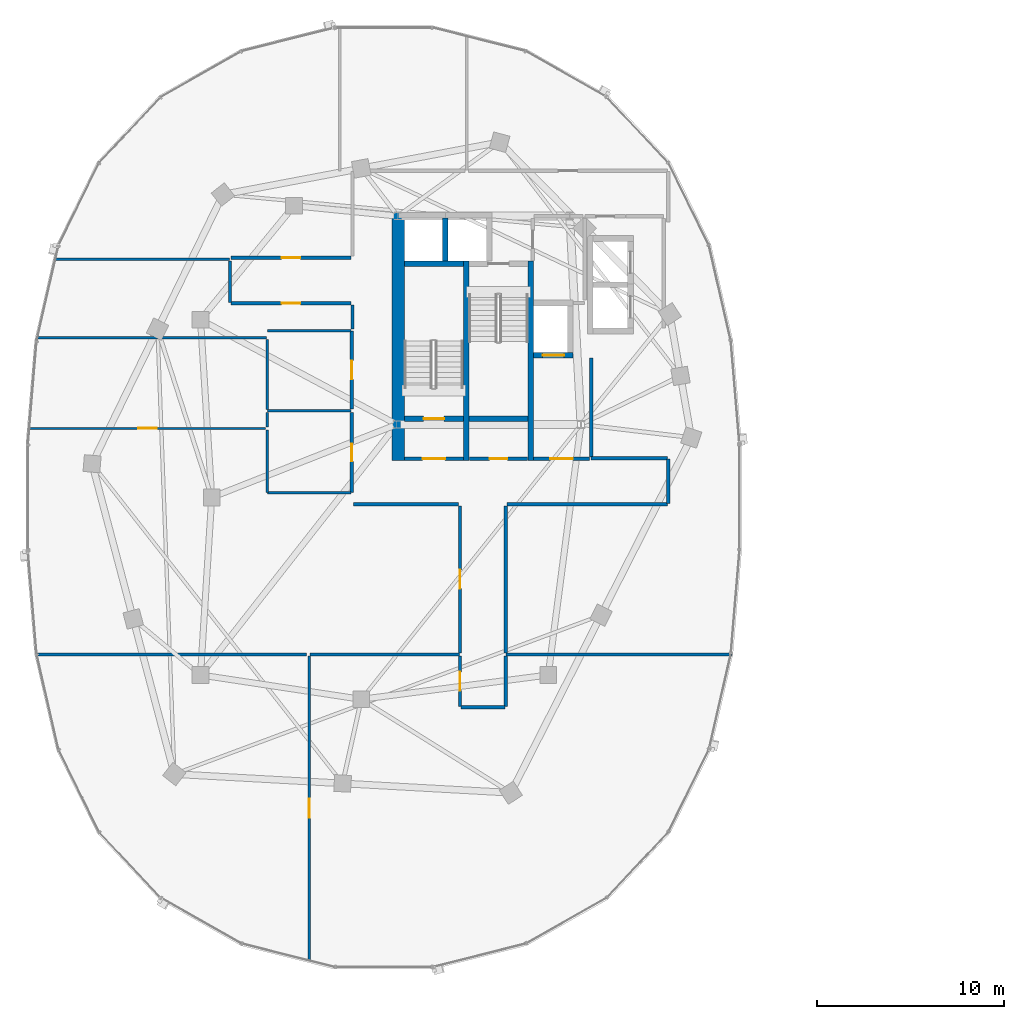
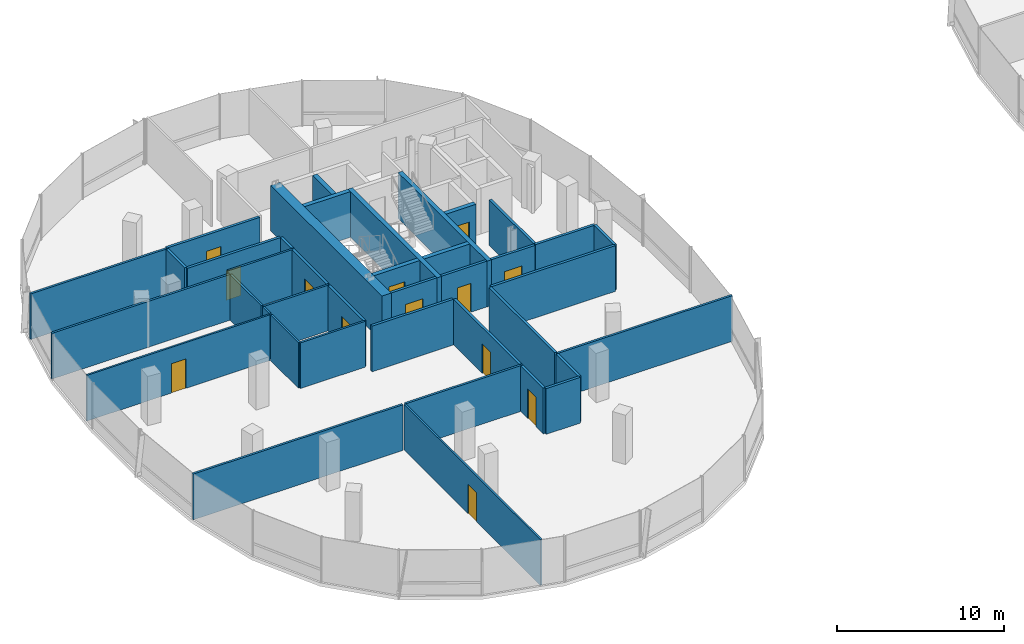
# One storey, part 15 of 25: 40 walls, 13 doors, 13 openings.
"""IFC4 building model written with IfcOpenShell, lengths in metres."""

import ifcopenshell
import ifcopenshell.guid

model = None  # the IFC model being written
_history = None  # IfcOwnerHistory: only IFC2X3 demands one
_inside = {}  # id of a spatial element -> (the spatial element, [elements in it])
_under = {}  # id of a project, library or spatial element -> (it, [spatial elements below it])
_declared = {}  # id of a project -> (the project, [libraries it declares])
_typed = {}  # id of a type object -> (the type object, [elements of that type])
_made_of = {}  # id of a material, layer set ... -> (it, [elements and type objects made of it])


def new_model(schema):
    """Start an empty IFC model of exactly this schema.

    Asked for "IFC4X3", IfcOpenShell would pick the latest addendum, in which some entities
    have other attributes; the version numbers below select the first issue.
    IFC2X3 requires an IfcOwnerHistory on every rooted entity: one is made here for all.
    """
    global model, _history
    if schema == "IFC4X3":
        model = ifcopenshell.file(schema_version=(4, 3, 0, 0))
    else:
        model = ifcopenshell.file(schema=schema)
    _inside.clear()
    _under.clear()
    _declared.clear()
    _typed.clear()
    _made_of.clear()
    _history = None
    if model.schema == "IFC2X3":
        org = make("IfcOrganization", Name="unknown")
        user = make(
            "IfcPersonAndOrganization",
            ThePerson=make("IfcPerson", FamilyName="unknown"),
            TheOrganization=org,
        )
        app = make(
            "IfcApplication",
            ApplicationDeveloper=org,
            Version="unknown",
            ApplicationFullName="unknown",
            ApplicationIdentifier="unknown",
        )
        _history = make(
            "IfcOwnerHistory",
            OwningUser=user,
            OwningApplication=app,
            ChangeAction="ADDED",
            CreationDate=0,
        )
    return model


def make(cls, **values):
    """One entity of the class cls with the attributes given. An attribute that is None is left unset."""
    return model.create_entity(
        cls, **{name: value for name, value in values.items() if value is not None}
    )


def rooted(cls, **values):
    """An entity with a GlobalId (a new one), such as an element, a storey or a relation."""
    return make(cls, GlobalId=ifcopenshell.guid.new(), OwnerHistory=_history, **values)


def si_unit(unit_type, name, prefix=None):
    """IfcSIUnit, for example si_unit("LENGTHUNIT", "METRE", prefix="MILLI")."""
    return make("IfcSIUnit", UnitType=unit_type, Prefix=prefix, Name=name)


def assignment(units):
    """IfcUnitAssignment: the units of a project."""
    return None if units is None else make("IfcUnitAssignment", Units=units)


def point(xyz):
    """IfcCartesianPoint."""
    return None if xyz is None else make("IfcCartesianPoint", Coordinates=xyz)


def direction(xyz):
    """IfcDirection."""
    return None if xyz is None else make("IfcDirection", DirectionRatios=xyz)


def frame(location, z_axis=None, x_axis=None):
    """IfcAxis2Placement3D, a coordinate frame: its origin and axes. An axis left out is left unset."""
    return make(
        "IfcAxis2Placement3D",
        Location=point(location),
        Axis=direction(z_axis),
        RefDirection=direction(x_axis),
    )


def frame_2d(location, x_axis=None):
    """IfcAxis2Placement2D, a coordinate frame in the plane: its origin and x axis."""
    return make(
        "IfcAxis2Placement2D", Location=point(location), RefDirection=direction(x_axis)
    )


def origin():
    """The frame at (0, 0, 0) with its axes left unset."""
    return frame((0.0, 0.0, 0.0))


def place(relative_to, where):
    """IfcLocalPlacement: puts the frame where relative to a parent placement (None: the world)."""
    return make(
        "IfcLocalPlacement", PlacementRelTo=relative_to, RelativePlacement=where
    )


def context(
    kind, dimensions, precision=None, world=None, true_north=None, identifier=None
):
    """IfcGeometricRepresentationContext, for example the 3D "Model" context."""
    return make(
        "IfcGeometricRepresentationContext",
        ContextIdentifier=identifier,
        ContextType=kind,
        CoordinateSpaceDimension=dimensions,
        Precision=precision,
        WorldCoordinateSystem=world,
        TrueNorth=true_north,
    )


def subcontext(parent, identifier, kind, view, scale=None):
    """IfcGeometricRepresentationSubContext, for example "Body" below "Model"."""
    return make(
        "IfcGeometricRepresentationSubContext",
        ContextIdentifier=identifier,
        ContextType=kind,
        ParentContext=parent,
        TargetScale=scale,
        TargetView=view,
    )


def project(units=None, contexts=None):
    """IfcProject with its units and contexts."""
    return rooted(
        "IfcProject",
        Name="project",
        RepresentationContexts=contexts,
        UnitsInContext=assignment(units),
    )


def spatial(cls, under=None, at=None, **own):
    """A site, building, storey or space (cls), placed at a placement, below another one or the project."""
    s = rooted(cls, ObjectPlacement=at, **own)
    if under is not None:
        _under.setdefault(under.id(), (under, []))[1].append(s)
    return s


def profile(cls, at=None, kind="AREA", **sizes):
    """A parametric profile (cls). Its sizes go by their IFC names, for example OverallWidth=200.0."""
    return make(cls, ProfileType=kind, Position=at, **sizes)


def rectangle(**sizes):
    """IfcRectangleProfileDef."""
    return profile("IfcRectangleProfileDef", **sizes)


def extrude(swept, where, along, depth):
    """IfcExtrudedAreaSolid: the profile swept, set in the frame where, extruded along a direction by depth."""
    return make(
        "IfcExtrudedAreaSolid",
        SweptArea=swept,
        Position=where,
        ExtrudedDirection=direction(along),
        Depth=depth,
    )


def shape(context_of_items, identifier, shape_type, items):
    """IfcShapeRepresentation: the items that make up one representation, for example the "Body"."""
    return make(
        "IfcShapeRepresentation",
        ContextOfItems=context_of_items,
        RepresentationIdentifier=identifier,
        RepresentationType=shape_type,
        Items=items,
    )


def material(Name=None, Category=None):
    """IfcMaterial."""
    return make("IfcMaterial", Name=Name, Category=Category)


def layer(
    of_material, thickness, ventilated=None, Name=None, Category=None, Priority=None
):
    """IfcMaterialLayer: one layer of a wall or slab, of a material (None: an air gap)."""
    return make(
        "IfcMaterialLayer",
        Material=of_material,
        LayerThickness=thickness,
        IsVentilated=ventilated,
        Name=Name,
        Category=Category,
        Priority=Priority,
    )


def layer_set(layers, Name=None):
    """IfcMaterialLayerSet."""
    return make("IfcMaterialLayerSet", MaterialLayers=layers, LayerSetName=Name)


def made_of(thing, what):
    """Note that an element or type object is made of a material, layer set ...; save() writes the relation."""
    if what is not None:
        _made_of.setdefault(what.id(), (what, []))[1].append(thing)
    return thing


def type_object(cls, material=None, **own):
    """A type object (cls), such as IfcWallType, which elements share."""
    return made_of(rooted(cls, **own), material)


def element(
    cls,
    number,
    at=None,
    inside=None,
    cuts=None,
    type_object=None,
    material=None,
    context=None,
    identifier="Body",
    shape_type=None,
    held_by="IfcProductDefinitionShape",
    body=None,
    shapes=None,
    **own,
):
    """One element of the class cls, such as IfcWall. Its Tag is "e" and its number.

    at: its placement. inside: the storey or other place that contains it. cuts: it is an
    opening in that element (IfcRelVoidsElement). A single representation is given by context,
    identifier, shape_type and body (its items); several are given by shapes. held_by: the class
    of the entity that holds the representations. save() writes the other relations.
    """
    e = rooted(cls, Tag="e%d" % number, ObjectPlacement=at, **own)
    if body is not None:
        shapes = [shape(context, identifier, shape_type, body)]
    if shapes is not None:
        e.Representation = make(held_by, Representations=shapes)
    if inside is not None:
        _inside.setdefault(inside.id(), (inside, []))[1].append(e)
    if cuts is not None:
        rooted(
            "IfcRelVoidsElement", RelatingBuildingElement=cuts, RelatedOpeningElement=e
        )
    if type_object is not None:
        _typed.setdefault(type_object.id(), (type_object, []))[1].append(e)
    return made_of(e, material)


def fill(opening, filler):
    """IfcRelFillsElement: the door or window that sits in an opening."""
    return rooted(
        "IfcRelFillsElement",
        RelatingOpeningElement=opening,
        RelatedBuildingElement=filler,
    )


def aggregate(whole, parts):
    """IfcRelAggregates: a whole, such as a stair, and the parts it consists of."""
    return rooted("IfcRelAggregates", RelatingObject=whole, RelatedObjects=parts)


def save(model, path):
    """Write the relations noted so far, then the file.

    IfcRelAggregates (storeys below a building ...), IfcRelContainedInSpatialStructure (elements
    in a storey), IfcRelDefinesByType, IfcRelAssociatesMaterial and IfcRelDeclares: one each for
    every whole, place, type object, material and project.
    """
    for whole, parts in _under.values():
        aggregate(whole, parts)
    for where, things in _inside.values():
        rooted(
            "IfcRelContainedInSpatialStructure",
            RelatedElements=things,
            RelatingStructure=where,
        )
    for kind, things in _typed.values():
        rooted("IfcRelDefinesByType", RelatedObjects=things, RelatingType=kind)
    for what, things in _made_of.values():
        rooted("IfcRelAssociatesMaterial", RelatedObjects=things, RelatingMaterial=what)
    for by, libraries in _declared.values():
        rooted("IfcRelDeclares", RelatingContext=by, RelatedDefinitions=libraries)
    model.write(path)


model = new_model("IFC4")

# Units and contexts
model_context = context("Model", 3, precision=1e-05, world=origin(), true_north=direction((0.0, 1.0)))
body_context = subcontext(model_context, "Body", "Model", "MODEL_VIEW")
ifc_project = project(units=[si_unit("LENGTHUNIT", "METRE"), si_unit("AREAUNIT", "SQUARE_METRE"), si_unit("VOLUMEUNIT", "CUBIC_METRE"), si_unit("PLANEANGLEUNIT", "RADIAN"), si_unit("MASSUNIT", "GRAM", prefix="KILO"), si_unit("THERMODYNAMICTEMPERATUREUNIT", "KELVIN"), si_unit("POWERUNIT", "WATT")], contexts=[model_context])

# Site, building, storey
site_placement = place(None, origin())
site = spatial("IfcSite", under=ifc_project, at=site_placement, CompositionType="ELEMENT")
building_placement = place(site_placement, origin())
building = spatial("IfcBuilding", under=site, at=building_placement, Name="Cundina Bronze Exchange", CompositionType="ELEMENT")
storey_placement = place(building_placement, frame((0.0, 0.0, 202.60009765625)))
storey = spatial("IfcBuildingStorey", under=building, at=storey_placement, Name="L53", CompositionType="ELEMENT", Elevation=202.60009765625)

# Wall
ifc_material_1 = material(Name="Gypsum Fireboard Partition EI120")
ifc_layer_1 = layer(ifc_material_1, 0.179931640625, Name="Gypsum Fireboard Partition EI120")
ifc_layer_set_1 = layer_set([ifc_layer_1], Name="Gypsum Fireboard Partition EI120")
wall_type_1 = type_object("IfcWallType", Name="WL-COR-180", PredefinedType="PARTITIONING", material=ifc_layer_set_1)
wall_1_placement = place(storey_placement, frame((-20.889892578125, 2.14990234375, 0.0), z_axis=(0.0, 0.0, 1.0), x_axis=(0.0, 1.0, 0.0)))
element("IfcWall", 1, at=wall_1_placement, inside=storey, type_object=wall_type_1, Name="L53 W Firefighting Lobby Side Wall", PredefinedType="PARTITIONING", context=body_context, shape_type="SweptSolid", body=[
    extrude(rectangle(XDim=5.300048828125, YDim=0.179931640625, at=frame_2d((2.64990234375, 0.0))), origin(), (0.0, 0.0, 1.0), 3.33984375),
])

# Wall, opening, door
wall_2_placement = place(storey_placement, frame((-23.97998046875, 2.06005859375, 0.0), z_axis=(0.0, 0.0, 1.0), x_axis=(1.0, 0.0, 0.0)))
wall_2 = element("IfcWall", 2, at=wall_2_placement, inside=storey, type_object=wall_type_1, Name="L53 W Firefighting Lobby Exit Wall", PredefinedType="PARTITIONING", context=body_context, shape_type="SweptSolid", body=[
    extrude(rectangle(XDim=3.0, YDim=0.179931640625, at=frame_2d((1.5, 0.0))), origin(), (0.0, 0.0, 1.0), 3.33984375),
])
opening_1_placement = place(wall_2_placement, frame((0.89990234375, 0.0, 0.0)))
opening_1 = element("IfcOpeningElement", 3, at=opening_1_placement, cuts=wall_2, Name="Opening DF-01", PredefinedType="OPENING", context=body_context, shape_type="SweptSolid", body=[
    extrude(rectangle(XDim=1.199951171875, YDim=2.14990234375, at=frame_2d((0.60009765625, 1.074951171875))), frame((0.0, 0.099853515625, 0.0), z_axis=(0.0, -1.0, 0.0), x_axis=(1.0, 0.0, 0.0)), (0.0, 0.0, 1.0), 0.199951171875),
])
ifc_material_2 = material(Name="Steel ASTM A36 Painted", Category="steel")
door_type_1 = type_object("IfcDoorType", Name="DR-FFL-1200", OperationType="NOTDEFINED", PredefinedType="DOOR", material=ifc_material_2)
door_1_placement = place(opening_1_placement, origin())
door_1 = element("IfcDoor", 4, at=door_1_placement, inside=storey, type_object=door_type_1, Name="L53 W Firefighting Lobby Door", OperationType="SINGLE_SWING_RIGHT", OverallHeight=2.14990234375, OverallWidth=1.199951171875, PredefinedType="DOOR", context=body_context, shape_type="SweptSolid", body=[
    extrude(rectangle(XDim=1.199951171875, YDim=2.14990234375, at=frame_2d((0.60009765625, 1.074951171875))), frame((0.0, 0.02490234375, 0.0), z_axis=(0.0, -1.0, 0.0), x_axis=(1.0, 0.0, 0.0)), (0.0, 0.0, 1.0), 0.050048828125),
])
fill(opening_1, door_1)

wall_3_placement = place(storey_placement, frame((-30.89990234375, 2.06005859375, 0.0), z_axis=(0.0, 0.0, 1.0), x_axis=(1.0, 0.0, 0.0)))
wall_3 = element("IfcWall", 5, at=wall_3_placement, inside=storey, type_object=wall_type_1, Name="L53 W Stair Vestibule Exit Wall", PredefinedType="PARTITIONING", context=body_context, shape_type="SweptSolid", body=[
    extrude(rectangle(XDim=3.159912109375, YDim=0.179931640625, at=frame_2d((1.580078125, 0.0))), origin(), (0.0, 0.0, 1.0), 3.33984375),
])
opening_2_placement = place(wall_3_placement, frame((0.97998046875, 0.0, 0.0)))
opening_2 = element("IfcOpeningElement", 6, at=opening_2_placement, cuts=wall_3, Name="Opening DF-01", PredefinedType="OPENING", context=body_context, shape_type="SweptSolid", body=[
    extrude(rectangle(XDim=1.199951171875, YDim=2.14990234375, at=frame_2d((0.60009765625, 1.074951171875))), frame((0.0, 0.099853515625, 0.0), z_axis=(0.0, -1.0, 0.0), x_axis=(1.0, 0.0, 0.0)), (0.0, 0.0, 1.0), 0.199951171875),
])
door_2_placement = place(opening_2_placement, origin())
door_2 = element("IfcDoor", 7, at=door_2_placement, inside=storey, type_object=door_type_1, Name="L53 W Stair Vestibule Door", OperationType="SINGLE_SWING_LEFT", OverallHeight=2.14990234375, OverallWidth=1.199951171875, PredefinedType="DOOR", context=body_context, shape_type="SweptSolid", body=[
    extrude(rectangle(XDim=1.199951171875, YDim=2.14990234375, at=frame_2d((0.60009765625, 1.074951171875))), frame((0.0, 0.02490234375, 0.0), z_axis=(0.0, -1.0, 0.0), x_axis=(1.0, 0.0, 0.0)), (0.0, 0.0, 1.0), 0.050048828125),
])
fill(opening_2, door_2)

wall_4_placement = place(storey_placement, frame((-27.419921875, 2.070068359375, 0.0), z_axis=(0.0, 0.0, 1.0), x_axis=(1.0, 0.0, 0.0)))
wall_4 = element("IfcWall", 8, at=wall_4_placement, inside=storey, type_object=wall_type_1, Name="L53 Interior Partition 007", PredefinedType="PARTITIONING", context=body_context, shape_type="SweptSolid", body=[
    extrude(rectangle(XDim=3.119873046875, YDim=0.179931640625, at=frame_2d((1.56005859375, 0.0))), origin(), (0.0, 0.0, 1.0), 3.33984375),
])
opening_3_placement = place(wall_4_placement, frame((1.0849609375, 0.0, 0.0)))
opening_3 = element("IfcOpeningElement", 9, at=opening_3_placement, cuts=wall_4, Name="Opening DW-01", PredefinedType="OPENING", context=body_context, shape_type="SweptSolid", body=[
    extrude(rectangle(XDim=0.949951171875, YDim=2.10009765625, at=frame_2d((0.47509765625, 1.050048828125))), frame((0.0, 0.099853515625, 0.0), z_axis=(0.0, -1.0, 0.0), x_axis=(1.0, 0.0, 0.0)), (0.0, 0.0, 1.0), 0.199951171875),
])
ifc_material_3 = material(Name="Solid Andean Oak Timber Grade A", Category="wood")
door_type_2 = type_object("IfcDoorType", Name="DR-WC-950", OperationType="NOTDEFINED", PredefinedType="DOOR", material=ifc_material_3)
door_3_placement = place(opening_3_placement, origin())
door_3 = element("IfcDoor", 10, at=door_3_placement, inside=storey, type_object=door_type_2, Name="L53 Interior Door 007", OperationType="SINGLE_SWING_LEFT", OverallHeight=2.10009765625, OverallWidth=0.949951171875, PredefinedType="DOOR", context=body_context, shape_type="SweptSolid", body=[
    extrude(rectangle(XDim=0.949951171875, YDim=2.10009765625, at=frame_2d((0.47509765625, 1.050048828125))), frame((0.0, 0.02490234375, 0.0), z_axis=(0.0, -1.0, 0.0), x_axis=(1.0, 0.0, 0.0)), (0.0, 0.0, 1.0), 0.050048828125),
])
fill(opening_3, door_3)

wall_5_placement = place(storey_placement, frame((-33.719970703125, 0.27001953125, 0.0), z_axis=(0.0, 0.0, 1.0), x_axis=(0.0, 1.0, 0.0)))
wall_5 = element("IfcWall", 11, at=wall_5_placement, inside=storey, type_object=wall_type_1, Name="L53 Interior Partition 015", PredefinedType="PARTITIONING", context=body_context, shape_type="SweptSolid", body=[
    extrude(rectangle(XDim=4.260009765625, YDim=0.179931640625, at=frame_2d((2.1298828125, 0.0))), origin(), (0.0, 0.0, 1.0), 3.33984375),
])
opening_4_placement = place(wall_5_placement, frame((1.655029296875, 0.0, 0.0)))
opening_4 = element("IfcOpeningElement", 12, at=opening_4_placement, cuts=wall_5, Name="Opening DW-01", PredefinedType="OPENING", context=body_context, shape_type="SweptSolid", body=[
    extrude(rectangle(XDim=0.949951171875, YDim=2.10009765625, at=frame_2d((0.47509765625, 1.050048828125))), frame((0.0, 0.099853515625, 0.0), z_axis=(0.0, -1.0, 0.0), x_axis=(1.0, 0.0, 0.0)), (0.0, 0.0, 1.0), 0.199951171875),
])
door_4_placement = place(opening_4_placement, origin())
door_4 = element("IfcDoor", 13, at=door_4_placement, inside=storey, type_object=door_type_2, Name="L53 Interior Door 015", OperationType="SINGLE_SWING_LEFT", OverallHeight=2.10009765625, OverallWidth=0.949951171875, PredefinedType="DOOR", context=body_context, shape_type="SweptSolid", body=[
    extrude(rectangle(XDim=0.949951171875, YDim=2.10009765625, at=frame_2d((0.47509765625, 1.050048828125))), frame((0.0, 0.02490234375, 0.0), z_axis=(0.0, -1.0, 0.0), x_axis=(1.0, 0.0, 0.0)), (0.0, 0.0, 1.0), 0.050048828125),
])
fill(opening_4, door_4)

wall_6_placement = place(storey_placement, frame((-33.719970703125, 4.72998046875, 0.0), z_axis=(0.0, 0.0, 1.0), x_axis=(0.0, 1.0, 0.0)))
wall_6 = element("IfcWall", 14, at=wall_6_placement, inside=storey, type_object=wall_type_1, Name="L53 Interior Partition 016", PredefinedType="PARTITIONING", context=body_context, shape_type="SweptSolid", body=[
    extrude(rectangle(XDim=4.159912109375, YDim=0.179931640625, at=frame_2d((2.080078125, 0.0))), origin(), (0.0, 0.0, 1.0), 3.33984375),
])
opening_5_placement = place(wall_6_placement, frame((1.580078125, 0.0, 0.0)))
opening_5 = element("IfcOpeningElement", 15, at=opening_5_placement, cuts=wall_6, Name="Opening DO-01", PredefinedType="OPENING", context=body_context, shape_type="SweptSolid", body=[
    extrude(rectangle(XDim=1.0, YDim=2.14990234375, at=frame_2d((0.5, 1.074951171875))), frame((0.0, 0.099853515625, 0.0), z_axis=(0.0, -1.0, 0.0), x_axis=(1.0, 0.0, 0.0)), (0.0, 0.0, 1.0), 0.199951171875),
])
door_type_3 = type_object("IfcDoorType", Name="DR-OFF-1000", OperationType="NOTDEFINED", PredefinedType="DOOR", material=ifc_material_3)
door_5_placement = place(opening_5_placement, origin())
door_5 = element("IfcDoor", 16, at=door_5_placement, inside=storey, type_object=door_type_3, Name="L53 Interior Door 016", OperationType="SINGLE_SWING_LEFT", OverallHeight=2.14990234375, OverallWidth=1.0, PredefinedType="DOOR", context=body_context, shape_type="SweptSolid", body=[
    extrude(rectangle(XDim=1.0, YDim=2.14990234375, at=frame_2d((0.5, 1.074951171875))), frame((0.0, 0.02490234375, 0.0), z_axis=(0.0, -1.0, 0.0), x_axis=(1.0, 0.0, 0.0)), (0.0, 0.0, 1.0), 0.050048828125),
])
fill(opening_5, door_5)

wall_7_placement = place(storey_placement, frame((-27.919921875, -8.489990234375, 0.0), z_axis=(0.0, 0.0, 1.0), x_axis=(0.0, -1.0, 0.0)))
wall_7 = element("IfcWall", 17, at=wall_7_placement, inside=storey, type_object=wall_type_1, Name="L53 Interior Partition 024", PredefinedType="PARTITIONING", context=body_context, shape_type="SweptSolid", body=[
    extrude(rectangle(XDim=2.6884765625, YDim=0.179931640625, at=frame_2d((1.34423828125, 0.0))), origin(), (0.0, 0.0, 1.0), 3.33984375),
])
opening_6_placement = place(wall_7_placement, frame((0.84423828125, 0.0, 0.0)))
opening_6 = element("IfcOpeningElement", 18, at=opening_6_placement, cuts=wall_7, Name="Opening DO-01", PredefinedType="OPENING", context=body_context, shape_type="SweptSolid", body=[
    extrude(rectangle(XDim=1.0, YDim=2.14990234375, at=frame_2d((0.5, 1.074951171875))), frame((0.0, 0.099853515625, 0.0), z_axis=(0.0, -1.0, 0.0), x_axis=(1.0, 0.0, 0.0)), (0.0, 0.0, 1.0), 0.199951171875),
])
door_6_placement = place(opening_6_placement, origin())
door_6 = element("IfcDoor", 19, at=door_6_placement, inside=storey, type_object=door_type_3, Name="L53 Interior Door 024", OperationType="SINGLE_SWING_LEFT", OverallHeight=2.14990234375, OverallWidth=1.0, PredefinedType="DOOR", context=body_context, shape_type="SweptSolid", body=[
    extrude(rectangle(XDim=1.0, YDim=2.14990234375, at=frame_2d((0.5, 1.074951171875))), frame((0.0, 0.02490234375, 0.0), z_axis=(0.0, -1.0, 0.0), x_axis=(1.0, 0.0, 0.0)), (0.0, 0.0, 1.0), 0.050048828125),
])
fill(opening_6, door_6)

# Walls
wall_8_placement = place(storey_placement, frame((-25.47998046875, -11.178466796875, 0.0), z_axis=(0.0, 0.0, 1.0), x_axis=(0.0, 1.0, 0.0)))
element("IfcWall", 20, at=wall_8_placement, inside=storey, type_object=wall_type_1, Name="L53 Interior Partition 025", PredefinedType="PARTITIONING", context=body_context, shape_type="SweptSolid", body=[
    extrude(rectangle(XDim=2.6884765625, YDim=0.179931640625, at=frame_2d((1.34423828125, 0.0))), origin(), (0.0, 0.0, 1.0), 3.33984375),
])
wall_9_placement = place(storey_placement, frame((-27.87841796875, -11.219970703125, 0.0), z_axis=(0.0, 0.0, 1.0), x_axis=(1.0, 0.0, 0.0)))
element("IfcWall", 21, at=wall_9_placement, inside=storey, type_object=wall_type_1, Name="L53 Interior Partition 026", PredefinedType="PARTITIONING", context=body_context, shape_type="SweptSolid", body=[
    extrude(rectangle(XDim=2.35693359375, YDim=0.179931640625, at=frame_2d((1.178466796875, 0.0))), origin(), (0.0, 0.0, 1.0), 3.33984375),
])

# Wall, opening, door
wall_10_placement = place(storey_placement, frame((-27.919921875, -0.449951171875, 0.0), z_axis=(0.0, 0.0, 1.0), x_axis=(0.0, -1.0, 0.0)))
wall_10 = element("IfcWall", 22, at=wall_10_placement, inside=storey, type_object=wall_type_1, Name="L53 Interior Partition 027", PredefinedType="PARTITIONING", context=body_context, shape_type="SweptSolid", body=[
    extrude(rectangle(XDim=7.860107421875, YDim=0.179931640625, at=frame_2d((3.93017578125, 0.0))), origin(), (0.0, 0.0, 1.0), 3.33984375),
])
opening_7_placement = place(wall_10_placement, frame((3.429931640625, 0.0, 0.0)))
opening_7 = element("IfcOpeningElement", 23, at=opening_7_placement, cuts=wall_10, Name="Opening DO-01", PredefinedType="OPENING", context=body_context, shape_type="SweptSolid", body=[
    extrude(rectangle(XDim=1.0, YDim=2.14990234375, at=frame_2d((0.5, 1.074951171875))), frame((0.0, 0.099853515625, 0.0), z_axis=(0.0, -1.0, 0.0), x_axis=(1.0, 0.0, 0.0)), (0.0, 0.0, 1.0), 0.199951171875),
])
door_7_placement = place(opening_7_placement, origin())
door_7 = element("IfcDoor", 24, at=door_7_placement, inside=storey, type_object=door_type_3, Name="L53 Interior Door 027", OperationType="SINGLE_SWING_RIGHT", OverallHeight=2.14990234375, OverallWidth=1.0, PredefinedType="DOOR", context=body_context, shape_type="SweptSolid", body=[
    extrude(rectangle(XDim=1.0, YDim=2.14990234375, at=frame_2d((0.5, 1.074951171875))), frame((0.0, 0.02490234375, 0.0), z_axis=(0.0, -1.0, 0.0), x_axis=(1.0, 0.0, 0.0)), (0.0, 0.0, 1.0), 0.050048828125),
])
fill(opening_7, door_7)

# Walls
wall_11_placement = place(storey_placement, frame((-33.62841796875, -0.3701171875, 0.0), z_axis=(0.0, 0.0, 1.0), x_axis=(1.0, 0.0, 0.0)))
element("IfcWall", 25, at=wall_11_placement, inside=storey, type_object=wall_type_1, Name="L53 Interior Partition 028", PredefinedType="PARTITIONING", context=body_context, shape_type="SweptSolid", body=[
    extrude(rectangle(XDim=5.62841796875, YDim=0.179931640625, at=frame_2d((2.814208984375, 0.0))), origin(), (0.0, 0.0, 1.0), 3.33984375),
])
wall_12_placement = place(storey_placement, frame((-25.39990234375, -0.3701171875, 0.0), z_axis=(0.0, 0.0, 1.0), x_axis=(1.0, 0.0, 0.0)))
element("IfcWall", 26, at=wall_12_placement, inside=storey, type_object=wall_type_1, Name="L53 Interior Partition 030", PredefinedType="PARTITIONING", context=body_context, shape_type="SweptSolid", body=[
    extrude(rectangle(XDim=8.578369140625, YDim=0.179931640625, at=frame_2d((4.2890625, 0.0))), origin(), (0.0, 0.0, 1.0), 3.33984375),
])
wall_13_placement = place(storey_placement, frame((-25.47998046875, -8.31005859375, 0.0), z_axis=(0.0, 0.0, 1.0), x_axis=(0.0, 1.0, 0.0)))
element("IfcWall", 27, at=wall_13_placement, inside=storey, type_object=wall_type_1, Name="L53 Interior Partition 031", PredefinedType="PARTITIONING", context=body_context, shape_type="SweptSolid", body=[
    extrude(rectangle(XDim=7.860107421875, YDim=0.179931640625, at=frame_2d((3.93017578125, 0.0))), origin(), (0.0, 0.0, 1.0), 3.33984375),
])
wall_14_placement = place(storey_placement, frame((-16.821533203125, 2.10009765625, 0.0), z_axis=(0.0, 0.0, 1.0), x_axis=(-1.0, 0.0, 0.0)))
element("IfcWall", 28, at=wall_14_placement, inside=storey, type_object=wall_type_1, Name="L53 Interior Partition 032", PredefinedType="PARTITIONING", context=body_context, shape_type="SweptSolid", body=[
    extrude(rectangle(XDim=4.098388671875, YDim=0.179931640625, at=frame_2d((2.04931640625, 0.0))), origin(), (0.0, 0.0, 1.0), 3.33984375),
])
wall_15_placement = place(storey_placement, frame((-16.780029296875, -0.32861328125, 0.0), z_axis=(0.0, 0.0, 1.0), x_axis=(0.0, 1.0, 0.0)))
element("IfcWall", 29, at=wall_15_placement, inside=storey, type_object=wall_type_1, Name="L53 Interior Partition 034", PredefinedType="PARTITIONING", context=body_context, shape_type="SweptSolid", body=[
    extrude(rectangle(XDim=2.38720703125, YDim=0.179931640625, at=frame_2d((1.193603515625, 0.0))), origin(), (0.0, 0.0, 1.0), 3.33984375),
])

# Wall, opening, door
wall_16_placement = place(storey_placement, frame((-40.178466796875, 10.3798828125, 0.0), z_axis=(0.0, 0.0, 1.0), x_axis=(1.0, 0.0, 0.0)))
wall_16 = element("IfcWall", 30, at=wall_16_placement, inside=storey, type_object=wall_type_1, Name="L53 Interior Partition 035", PredefinedType="PARTITIONING", context=body_context, shape_type="SweptSolid", body=[
    extrude(rectangle(XDim=6.428466796875, YDim=0.179931640625, at=frame_2d((3.21435546875, 0.0))), origin(), (0.0, 0.0, 1.0), 3.33984375),
])
opening_8_placement = place(wall_16_placement, frame((2.714111328125, 0.0, 0.0)))
opening_8 = element("IfcOpeningElement", 31, at=opening_8_placement, cuts=wall_16, Name="Opening DO-01", PredefinedType="OPENING", context=body_context, shape_type="SweptSolid", body=[
    extrude(rectangle(XDim=1.0, YDim=2.14990234375, at=frame_2d((0.5, 1.074951171875))), frame((0.0, 0.099853515625, 0.0), z_axis=(0.0, -1.0, 0.0), x_axis=(1.0, 0.0, 0.0)), (0.0, 0.0, 1.0), 0.199951171875),
])
door_8_placement = place(opening_8_placement, origin())
door_8 = element("IfcDoor", 32, at=door_8_placement, inside=storey, type_object=door_type_3, Name="L53 Interior Door 035", OperationType="SINGLE_SWING_RIGHT", OverallHeight=2.14990234375, OverallWidth=1.0, PredefinedType="DOOR", context=body_context, shape_type="SweptSolid", body=[
    extrude(rectangle(XDim=1.0, YDim=2.14990234375, at=frame_2d((0.5, 1.074951171875))), frame((0.0, 0.02490234375, 0.0), z_axis=(0.0, -1.0, 0.0), x_axis=(1.0, 0.0, 0.0)), (0.0, 0.0, 1.0), 0.050048828125),
])
fill(opening_8, door_8)

# Walls
wall_17_placement = place(storey_placement, frame((-40.219970703125, 12.64990234375, 0.0), z_axis=(0.0, 0.0, 1.0), x_axis=(0.0, -1.0, 0.0)))
element("IfcWall", 33, at=wall_17_placement, inside=storey, type_object=wall_type_1, Name="L53 Interior Partition 036", PredefinedType="PARTITIONING", context=body_context, shape_type="SweptSolid", body=[
    extrude(rectangle(XDim=2.228515625, YDim=0.179931640625, at=frame_2d((1.1142578125, 0.0))), origin(), (0.0, 0.0, 1.0), 3.33984375),
])
wall_18_placement = place(storey_placement, frame((-33.669921875, 10.300048828125, 0.0), z_axis=(0.0, 0.0, 1.0), x_axis=(0.0, -1.0, 0.0)))
element("IfcWall", 34, at=wall_18_placement, inside=storey, type_object=wall_type_1, Name="L53 Interior Partition 037", PredefinedType="PARTITIONING", context=body_context, shape_type="SweptSolid", body=[
    extrude(rectangle(XDim=1.298583984375, YDim=0.179931640625, at=frame_2d((0.6494140625, 0.0))), origin(), (0.0, 0.0, 1.0), 3.33984375),
])

# Wall, opening, door
wall_19_placement = place(storey_placement, frame((-33.75, 12.820068359375, 0.0), z_axis=(0.0, 0.0, 1.0), x_axis=(-1.0, 0.0, 0.0)))
wall_19 = element("IfcWall", 35, at=wall_19_placement, inside=storey, type_object=wall_type_1, Name="L53 Interior Partition 038", PredefinedType="PARTITIONING", context=body_context, shape_type="SweptSolid", body=[
    extrude(rectangle(XDim=6.428466796875, YDim=0.179931640625, at=frame_2d((3.21435546875, 0.0))), origin(), (0.0, 0.0, 1.0), 3.33984375),
])
opening_9_placement = place(wall_19_placement, frame((2.714111328125, 0.0, 0.0)))
opening_9 = element("IfcOpeningElement", 36, at=opening_9_placement, cuts=wall_19, Name="Opening DO-01", PredefinedType="OPENING", context=body_context, shape_type="SweptSolid", body=[
    extrude(rectangle(XDim=1.0, YDim=2.14990234375, at=frame_2d((0.5, 1.074951171875))), frame((0.0, 0.099853515625, 0.0), z_axis=(0.0, -1.0, 0.0), x_axis=(1.0, 0.0, 0.0)), (0.0, 0.0, 1.0), 0.199951171875),
])
door_9_placement = place(opening_9_placement, origin())
door_9 = element("IfcDoor", 37, at=door_9_placement, inside=storey, type_object=door_type_3, Name="L53 Interior Door 038", OperationType="SINGLE_SWING_LEFT", OverallHeight=2.14990234375, OverallWidth=1.0, PredefinedType="DOOR", context=body_context, shape_type="SweptSolid", body=[
    extrude(rectangle(XDim=1.0, YDim=2.14990234375, at=frame_2d((0.5, 1.074951171875))), frame((0.0, 0.02490234375, 0.0), z_axis=(0.0, -1.0, 0.0), x_axis=(1.0, 0.0, 0.0)), (0.0, 0.0, 1.0), 0.050048828125),
])
fill(opening_9, door_9)

# Wall
ifc_material_4 = material(Name="Concrete C50/60", Category="concrete")
ifc_layer_2 = layer(ifc_material_4, 0.64990234375, Name="Concrete C50/60", Category="concrete")
ifc_layer_set_2 = layer_set([ifc_layer_2], Name="Concrete C50/60")
wall_type_2 = type_object("IfcWallType", Name="WL-CORE-650", PredefinedType="SHEAR", material=ifc_layer_set_2)
wall_20_placement = place(storey_placement, frame((-31.22509765625, 1.969970703125, 0.0), z_axis=(0.0, 0.0, 1.0), x_axis=(0.0, 1.0, 0.0)))
element("IfcWall", 38, at=wall_20_placement, inside=storey, type_object=wall_type_2, Name="L53 W Primary Core Shear Spine Wall", PredefinedType="SHEAR", context=body_context, shape_type="SweptSolid", body=[
    extrude(rectangle(XDim=13.330078125, YDim=0.64990234375, at=frame_2d((6.6650390625, 0.0))), origin(), (0.0, 0.0, 1.0), 3.33984375),
])

# Wall, opening, door
ifc_material_5 = material(Name="Gypsum Acoustic Partition EI60")
ifc_layer_3 = layer(ifc_material_5, 0.125, Name="Gypsum Acoustic Partition EI60")
ifc_layer_set_3 = layer_set([ifc_layer_3], Name="Gypsum Acoustic Partition EI60")
wall_type_3 = type_object("IfcWallType", Name="WL-OFF-125", PredefinedType="PARTITIONING", material=ifc_layer_set_3)
wall_21_placement = place(storey_placement, frame((-35.989990234375, -8.489990234375, 0.0), z_axis=(0.0, 0.0, 1.0), x_axis=(0.0, -1.0, 0.0)))
wall_21 = element("IfcWall", 39, at=wall_21_placement, inside=storey, type_object=wall_type_3, Name="L53 Interior Partition 041", PredefinedType="PARTITIONING", context=body_context, shape_type="SweptSolid", body=[
    extrude(rectangle(XDim=16.274658203125, YDim=0.125, at=frame_2d((8.13720703125, 0.0))), origin(), (0.0, 0.0, 1.0), 3.33984375),
])
opening_10_placement = place(wall_21_placement, frame((7.63720703125, 0.0, 0.0)))
opening_10 = element("IfcOpeningElement", 40, at=opening_10_placement, cuts=wall_21, Name="Opening DO-01", PredefinedType="OPENING", context=body_context, shape_type="SweptSolid", body=[
    extrude(rectangle(XDim=1.0, YDim=2.14990234375, at=frame_2d((0.5, 1.074951171875))), frame((0.0, 0.072509765625, 0.0), z_axis=(0.0, -1.0, 0.0), x_axis=(1.0, 0.0, 0.0)), (0.0, 0.0, 1.0), 0.14501953125),
])
door_10_placement = place(opening_10_placement, origin())
door_10 = element("IfcDoor", 41, at=door_10_placement, inside=storey, type_object=door_type_3, Name="L53 Interior Door 041", OperationType="SINGLE_SWING_LEFT", OverallHeight=2.14990234375, OverallWidth=1.0, PredefinedType="DOOR", context=body_context, shape_type="SweptSolid", body=[
    extrude(rectangle(XDim=1.0, YDim=2.14990234375, at=frame_2d((0.5, 1.074951171875))), frame((0.0, 0.02490234375, 0.0), z_axis=(0.0, -1.0, 0.0), x_axis=(1.0, 0.0, 0.0)), (0.0, 0.0, 1.0), 0.050048828125),
])
fill(opening_10, door_10)

wall_22_placement = place(storey_placement, frame((-38.320068359375, 3.68994140625, 0.0), z_axis=(0.0, 0.0, 1.0), x_axis=(-1.0, 0.0, 0.0)))
wall_22 = element("IfcWall", 42, at=wall_22_placement, inside=storey, type_object=wall_type_3, Name="L53 Interior Partition 042", PredefinedType="PARTITIONING", context=body_context, shape_type="SweptSolid", body=[
    extrude(rectangle(XDim=12.6474609375, YDim=0.125, at=frame_2d((6.32373046875, 0.0))), origin(), (0.0, 0.0, 1.0), 3.33984375),
])
opening_11_placement = place(wall_22_placement, frame((5.82373046875, 0.0, 0.0)))
opening_11 = element("IfcOpeningElement", 43, at=opening_11_placement, cuts=wall_22, Name="Opening DO-01", PredefinedType="OPENING", context=body_context, shape_type="SweptSolid", body=[
    extrude(rectangle(XDim=1.0, YDim=2.14990234375, at=frame_2d((0.5, 1.074951171875))), frame((0.0, 0.072509765625, 0.0), z_axis=(0.0, -1.0, 0.0), x_axis=(1.0, 0.0, 0.0)), (0.0, 0.0, 1.0), 0.14501953125),
])
door_11_placement = place(opening_11_placement, origin())
door_11 = element("IfcDoor", 44, at=door_11_placement, inside=storey, type_object=door_type_3, Name="L53 Interior Door 042", OperationType="SINGLE_SWING_RIGHT", OverallHeight=2.14990234375, OverallWidth=1.0, PredefinedType="DOOR", context=body_context, shape_type="SweptSolid", body=[
    extrude(rectangle(XDim=1.0, YDim=2.14990234375, at=frame_2d((0.5, 1.074951171875))), frame((0.0, 0.02490234375, 0.0), z_axis=(0.0, -1.0, 0.0), x_axis=(1.0, 0.0, 0.0)), (0.0, 0.0, 1.0), 0.050048828125),
])
fill(opening_11, door_11)

# Walls
ifc_layer_4 = layer(ifc_material_4, 0.300048828125, Name="Concrete C50/60", Category="concrete")
ifc_layer_set_4 = layer_set([ifc_layer_4], Name="Concrete C50/60")
wall_type_4 = type_object("IfcWallType", Name="WL-SHFT-300", PredefinedType="SHEAR", material=ifc_layer_set_4)
for number, where, z_axis, x_axis, name in (
    (45, (-27.590087890625, 1.969970703125, 0.0), (0.0, 0.0, 1.0), (0.0, 1.0, 0.0), "L53 W Stair Shaft Dividing Shear Wall"),
    (46, (-24.1298828125, 1.969970703125, 0.0), (0.0, 0.0, 1.0), (0.0, 1.0, 0.0), "L53 W Stair 2 East Shear Wall"),
):
    element("IfcWall", number, at=place(storey_placement, frame(where, z_axis=z_axis, x_axis=x_axis)), inside=storey, type_object=wall_type_4, Name=name, PredefinedType="SHEAR", context=body_context, shape_type="SweptSolid", body=[
        extrude(rectangle(XDim=10.679931640625, YDim=0.300048828125, at=frame_2d((5.33984375, 0.0))), origin(), (0.0, 0.0, 1.0), 3.33984375),
    ])

# Wall, opening, door
wall_23_placement = place(storey_placement, frame((-30.89990234375, 4.199951171875, 0.0), z_axis=(0.0, 0.0, 1.0), x_axis=(1.0, 0.0, 0.0)))
wall_23 = element("IfcWall", 47, at=wall_23_placement, inside=storey, type_object=wall_type_4, Name="L53 Stair W1 Landing Wall", PredefinedType="SHEAR", context=body_context, shape_type="SweptSolid", body=[
    extrude(rectangle(XDim=3.159912109375, YDim=0.300048828125, at=frame_2d((1.580078125, 0.0))), origin(), (0.0, 0.0, 1.0), 3.33984375),
])
opening_12_placement = place(wall_23_placement, frame((1.030029296875, 0.0, 0.0)))
opening_12 = element("IfcOpeningElement", 48, at=opening_12_placement, cuts=wall_23, Name="Opening DS-01", PredefinedType="OPENING", context=body_context, shape_type="SweptSolid", body=[
    extrude(rectangle(XDim=1.10009765625, YDim=2.14990234375, at=frame_2d((0.550048828125, 1.074951171875))), frame((0.0, 0.159912109375, 0.0), z_axis=(0.0, -1.0, 0.0), x_axis=(1.0, 0.0, 0.0)), (0.0, 0.0, 1.0), 0.320068359375),
])
door_type_4 = type_object("IfcDoorType", Name="DR-STR-1100", OperationType="NOTDEFINED", PredefinedType="DOOR", material=ifc_material_2)
door_12_placement = place(opening_12_placement, origin())
door_12 = element("IfcDoor", 49, at=door_12_placement, inside=storey, type_object=door_type_4, Name="L53 Smokeproof Stair W1 Door", OperationType="SINGLE_SWING_RIGHT", OverallHeight=2.14990234375, OverallWidth=1.10009765625, PredefinedType="DOOR", context=body_context, shape_type="SweptSolid", body=[
    extrude(rectangle(XDim=1.10009765625, YDim=2.14990234375, at=frame_2d((0.550048828125, 1.074951171875))), frame((0.0, 0.02490234375, 0.0), z_axis=(0.0, -1.0, 0.0), x_axis=(1.0, 0.0, 0.0)), (0.0, 0.0, 1.0), 0.050048828125),
])
fill(opening_12, door_12)

# Walls
for number, where, z_axis, x_axis, name in (
    (50, (-30.89990234375, 12.5, 0.0), (0.0, 0.0, 1.0), (1.0, 0.0, 0.0), "L53 Stair W1 Far Shaft Wall"),
    (51, (-27.43994140625, 4.199951171875, 0.0), (0.0, 0.0, 1.0), (1.0, 0.0, 0.0), "L53 Stair W2 Far Shaft Wall"),
):
    element("IfcWall", number, at=place(storey_placement, frame(where, z_axis=z_axis, x_axis=x_axis)), inside=storey, type_object=wall_type_4, Name=name, PredefinedType="SHEAR", context=body_context, shape_type="SweptSolid", body=[
        extrude(rectangle(XDim=3.159912109375, YDim=0.300048828125, at=frame_2d((1.580078125, 0.0))), origin(), (0.0, 0.0, 1.0), 3.33984375),
    ])

# Wall, opening, door
wall_24_placement = place(storey_placement, frame((-23.97998046875, 7.60009765625, 0.0), z_axis=(0.0, 0.0, 1.0), x_axis=(1.0, 0.0, 0.0)))
wall_24 = element("IfcWall", 52, at=wall_24_placement, inside=storey, type_object=wall_type_4, Name="L53 FFL-W Hoistway Front Wall", PredefinedType="SHEAR", context=body_context, shape_type="SweptSolid", body=[
    extrude(rectangle(XDim=2.10009765625, YDim=0.300048828125, at=frame_2d((1.050048828125, 0.0))), origin(), (0.0, 0.0, 1.0), 3.33984375),
])
opening_13_placement = place(wall_24_placement, frame((0.47509765625, 0.0, 0.0)))
opening_13 = element("IfcOpeningElement", 53, at=opening_13_placement, cuts=wall_24, Name="Opening LD-01", PredefinedType="OPENING", context=body_context, shape_type="SweptSolid", body=[
    extrude(rectangle(XDim=1.14990234375, YDim=2.199951171875, at=frame_2d((0.574951171875, 1.10009765625))), frame((0.0, 0.159912109375, 0.0), z_axis=(0.0, -1.0, 0.0), x_axis=(1.0, 0.0, 0.0)), (0.0, 0.0, 1.0), 0.320068359375),
])
door_type_5 = type_object("IfcDoorType", Name="DR-LND-1150", OperationType="NOTDEFINED", PredefinedType="TRAPDOOR", material=ifc_material_2)
door_13_placement = place(opening_13_placement, origin())
door_13 = element("IfcDoor", 54, at=door_13_placement, inside=storey, type_object=door_type_5, Name="L53 FFL-W Sliding Landing Door", OperationType="SLIDING_TO_LEFT", OverallHeight=2.199951171875, OverallWidth=1.14990234375, PredefinedType="TRAPDOOR", context=body_context, shape_type="SweptSolid", body=[
    extrude(rectangle(XDim=1.14990234375, YDim=2.199951171875, at=frame_2d((0.574951171875, 1.10009765625))), frame((0.0, 0.02490234375, 0.0), z_axis=(0.0, -1.0, 0.0), x_axis=(1.0, 0.0, 0.0)), (0.0, 0.0, 1.0), 0.050048828125),
])
fill(opening_13, door_13)

# Walls
wall_25_placement = place(storey_placement, frame((-28.699951171875, 12.64990234375, 0.0), z_axis=(0.0, 0.0, 1.0), x_axis=(0.0, 1.0, 0.0)))
element("IfcWall", 55, at=wall_25_placement, inside=storey, type_object=wall_type_4, Name="L53 PH-W1 Hoistway Divider Wall", PredefinedType="SHEAR", context=body_context, shape_type="SweptSolid", body=[
    extrude(rectangle(XDim=2.300048828125, YDim=0.300048828125, at=frame_2d((1.14990234375, 0.0))), origin(), (0.0, 0.0, 1.0), 3.33984375),
])
ifc_layer_5 = layer(ifc_material_5, 0.14990234375, Name="Gypsum Acoustic Partition EI60")
ifc_layer_set_5 = layer_set([ifc_layer_5], Name="Gypsum Acoustic Partition EI60")
wall_type_5 = type_object("IfcWallType", Name="WL-TEN-150", PredefinedType="PARTITIONING", material=ifc_layer_set_5)
wall_26_placement = place(storey_placement, frame((-50.629638671875, -8.39990234375, 0.0), z_axis=(0.0, 0.0, 1.0), x_axis=(1.0, 0.0, 0.0)))
element("IfcWall", 56, at=wall_26_placement, inside=storey, type_object=wall_type_5, Name="L53 Interior Partition 017", PredefinedType="PARTITIONING", context=body_context, shape_type="SweptSolid", body=[
    extrude(rectangle(XDim=14.504638671875, YDim=0.14990234375, at=frame_2d((7.25244140625, 0.0))), origin(), (0.0, 0.0, 1.0), 3.33984375),
])
wall_27_placement = place(storey_placement, frame((-35.955078125, -8.39990234375, 0.0), z_axis=(0.0, 0.0, 1.0), x_axis=(1.0, 0.0, 0.0)))
element("IfcWall", 57, at=wall_27_placement, inside=storey, type_object=wall_type_5, Name="L53 Interior Partition 018", PredefinedType="PARTITIONING", context=body_context, shape_type="SweptSolid", body=[
    extrude(rectangle(XDim=8.005126953125, YDim=0.14990234375, at=frame_2d((4.00244140625, 0.0))), origin(), (0.0, 0.0, 1.0), 3.33984375),
])
wall_28_placement = place(storey_placement, frame((-25.449951171875, -8.39990234375, 0.0), z_axis=(0.0, 0.0, 1.0), x_axis=(1.0, 0.0, 0.0)))
element("IfcWall", 58, at=wall_28_placement, inside=storey, type_object=wall_type_5, Name="L53 Interior Partition 019", PredefinedType="PARTITIONING", context=body_context, shape_type="SweptSolid", body=[
    extrude(rectangle(XDim=12.07958984375, YDim=0.14990234375, at=frame_2d((6.039794921875, 0.0))), origin(), (0.0, 0.0, 1.0), 3.33984375),
])
wall_29_placement = place(storey_placement, frame((-50.59765625, 8.5400390625, 0.0), z_axis=(0.0, 0.0, 1.0), x_axis=(1.0, 0.0, 0.0)))
element("IfcWall", 59, at=wall_29_placement, inside=storey, type_object=wall_type_5, Name="L53 Interior Partition 020", PredefinedType="PARTITIONING", context=body_context, shape_type="SweptSolid", body=[
    extrude(rectangle(XDim=12.32763671875, YDim=0.14990234375, at=frame_2d((6.163818359375, 0.0))), origin(), (0.0, 0.0, 1.0), 3.33984375),
])
wall_30_placement = place(storey_placement, frame((-49.635498046875, 12.739990234375, 0.0), z_axis=(0.0, 0.0, 1.0), x_axis=(1.0, 0.0, 0.0)))
element("IfcWall", 60, at=wall_30_placement, inside=storey, type_object=wall_type_5, Name="L53 Interior Partition 021", PredefinedType="PARTITIONING", context=body_context, shape_type="SweptSolid", body=[
    extrude(rectangle(XDim=9.385498046875, YDim=0.14990234375, at=frame_2d((4.69287109375, 0.0))), origin(), (0.0, 0.0, 1.0), 3.33984375),
])
ifc_material_6 = material(Name="Moisture-Resistant Masonry Block Grade M15", Category="masonry")
ifc_layer_6 = layer(ifc_material_6, 0.139892578125, Name="Moisture-Resistant Masonry Block Grade M15", Category="masonry")
ifc_layer_set_6 = layer_set([ifc_layer_6], Name="Moisture-Resistant Masonry Block Grade M15")
wall_type_6 = type_object("IfcWallType", Name="WL-WET-140", PredefinedType="PARTITIONING", material=ifc_layer_set_6)
wall_31_placement = place(storey_placement, frame((-38.239990234375, 0.27001953125, 0.0), z_axis=(0.0, 0.0, 1.0), x_axis=(0.0, 1.0, 0.0)))
element("IfcWall", 61, at=wall_31_placement, inside=storey, type_object=wall_type_6, Name="L53 Interior Partition 009", PredefinedType="PARTITIONING", context=body_context, shape_type="SweptSolid", body=[
    extrude(rectangle(XDim=3.3349609375, YDim=0.139892578125, at=frame_2d((1.66748046875, 0.0))), origin(), (0.0, 0.0, 1.0), 3.33984375),
])
wall_32_placement = place(storey_placement, frame((-38.239990234375, 3.77490234375, 0.0), z_axis=(0.0, 0.0, 1.0), x_axis=(0.0, 1.0, 0.0)))
element("IfcWall", 62, at=wall_32_placement, inside=storey, type_object=wall_type_6, Name="L53 Interior Partition 010", PredefinedType="PARTITIONING", context=body_context, shape_type="SweptSolid", body=[
    extrude(rectangle(XDim=0.77001953125, YDim=0.139892578125, at=frame_2d((0.385009765625, 0.0))), origin(), (0.0, 0.0, 1.0), 3.33984375),
])
wall_33_placement = place(storey_placement, frame((-38.239990234375, 4.715087890625, 0.0), z_axis=(0.0, 0.0, 1.0), x_axis=(0.0, 1.0, 0.0)))
element("IfcWall", 63, at=wall_33_placement, inside=storey, type_object=wall_type_6, Name="L53 Interior Partition 011", PredefinedType="PARTITIONING", context=body_context, shape_type="SweptSolid", body=[
    extrude(rectangle(XDim=3.739990234375, YDim=0.139892578125, at=frame_2d((1.8701171875, 0.0))), origin(), (0.0, 0.0, 1.0), 3.33984375),
])
for number, where, z_axis, x_axis, name in (
    (64, (-38.219970703125, 0.25, 0.0), (0.0, 0.0, 1.0), (1.0, 0.0, 0.0), "L53 Interior Partition 012"),
    (65, (-38.219970703125, 4.6298828125, 0.0), (0.0, 0.0, 1.0), (1.0, 0.0, 0.0), "L53 Interior Partition 013"),
    (66, (-38.219970703125, 8.909912109375, 0.0), (0.0, 0.0, 1.0), (1.0, 0.0, 0.0), "L53 Interior Partition 014"),
):
    element("IfcWall", number, at=place(storey_placement, frame(where, z_axis=z_axis, x_axis=x_axis)), inside=storey, type_object=wall_type_6, Name=name, PredefinedType="PARTITIONING", context=body_context, shape_type="SweptSolid", body=[
        extrude(rectangle(XDim=4.47998046875, YDim=0.139892578125, at=frame_2d((2.239990234375, 0.0))), origin(), (0.0, 0.0, 1.0), 3.33984375),
    ])

save(model, "model.ifc")
